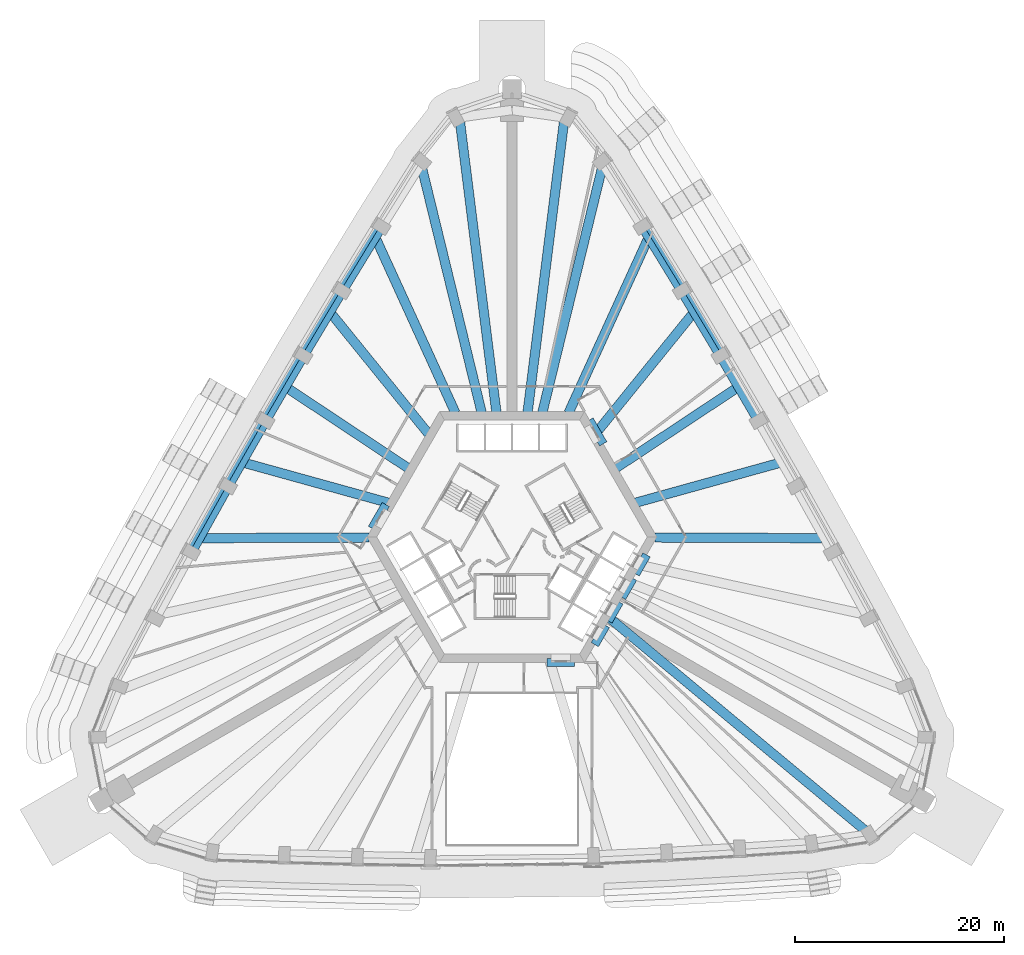
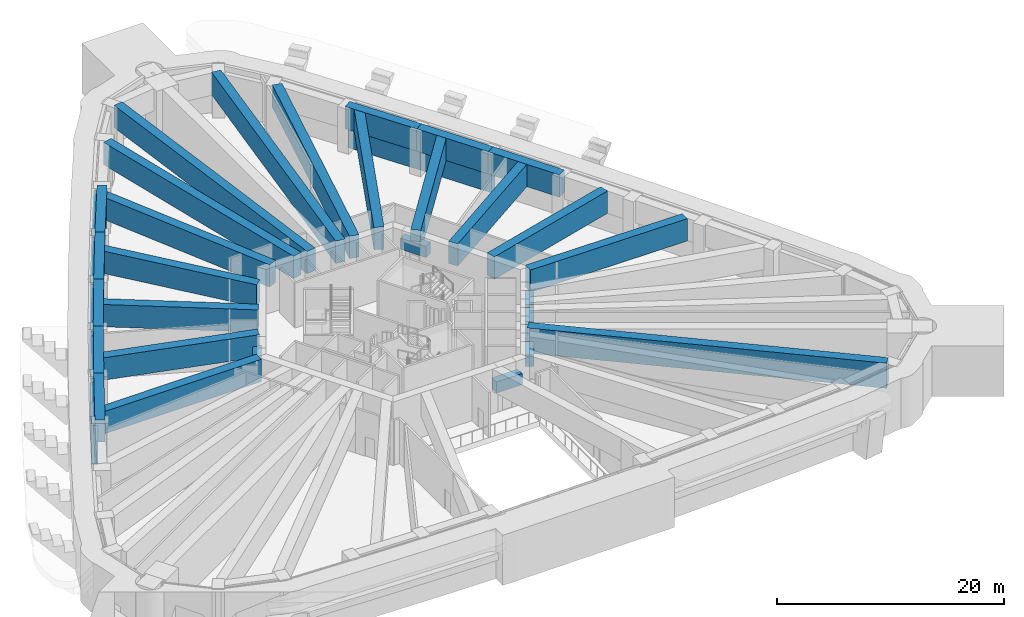
# One storey, part 5 of 22: 30 beams, 7 members.
"""IFC4 building model written with IfcOpenShell, lengths in metres."""

import ifcopenshell
import ifcopenshell.guid

model = None  # the IFC model being written
_history = None  # IfcOwnerHistory: only IFC2X3 demands one
_inside = {}  # id of a spatial element -> (the spatial element, [elements in it])
_under = {}  # id of a project, library or spatial element -> (it, [spatial elements below it])
_declared = {}  # id of a project -> (the project, [libraries it declares])
_typed = {}  # id of a type object -> (the type object, [elements of that type])
_made_of = {}  # id of a material, layer set ... -> (it, [elements and type objects made of it])


def new_model(schema):
    """Start an empty IFC model of exactly this schema.

    Asked for "IFC4X3", IfcOpenShell would pick the latest addendum, in which some entities
    have other attributes; the version numbers below select the first issue.
    IFC2X3 requires an IfcOwnerHistory on every rooted entity: one is made here for all.
    """
    global model, _history
    if schema == "IFC4X3":
        model = ifcopenshell.file(schema_version=(4, 3, 0, 0))
    else:
        model = ifcopenshell.file(schema=schema)
    _inside.clear()
    _under.clear()
    _declared.clear()
    _typed.clear()
    _made_of.clear()
    _history = None
    if model.schema == "IFC2X3":
        org = make("IfcOrganization", Name="unknown")
        user = make(
            "IfcPersonAndOrganization",
            ThePerson=make("IfcPerson", FamilyName="unknown"),
            TheOrganization=org,
        )
        app = make(
            "IfcApplication",
            ApplicationDeveloper=org,
            Version="unknown",
            ApplicationFullName="unknown",
            ApplicationIdentifier="unknown",
        )
        _history = make(
            "IfcOwnerHistory",
            OwningUser=user,
            OwningApplication=app,
            ChangeAction="ADDED",
            CreationDate=0,
        )
    return model


def make(cls, **values):
    """One entity of the class cls with the attributes given. An attribute that is None is left unset."""
    return model.create_entity(
        cls, **{name: value for name, value in values.items() if value is not None}
    )


def rooted(cls, **values):
    """An entity with a GlobalId (a new one), such as an element, a storey or a relation."""
    return make(cls, GlobalId=ifcopenshell.guid.new(), OwnerHistory=_history, **values)


def si_unit(unit_type, name, prefix=None):
    """IfcSIUnit, for example si_unit("LENGTHUNIT", "METRE", prefix="MILLI")."""
    return make("IfcSIUnit", UnitType=unit_type, Prefix=prefix, Name=name)


def assignment(units):
    """IfcUnitAssignment: the units of a project."""
    return None if units is None else make("IfcUnitAssignment", Units=units)


def point(xyz):
    """IfcCartesianPoint."""
    return None if xyz is None else make("IfcCartesianPoint", Coordinates=xyz)


def direction(xyz):
    """IfcDirection."""
    return None if xyz is None else make("IfcDirection", DirectionRatios=xyz)


def frame(location, z_axis=None, x_axis=None):
    """IfcAxis2Placement3D, a coordinate frame: its origin and axes. An axis left out is left unset."""
    return make(
        "IfcAxis2Placement3D",
        Location=point(location),
        Axis=direction(z_axis),
        RefDirection=direction(x_axis),
    )


def frame_2d(location, x_axis=None):
    """IfcAxis2Placement2D, a coordinate frame in the plane: its origin and x axis."""
    return make(
        "IfcAxis2Placement2D", Location=point(location), RefDirection=direction(x_axis)
    )


def origin():
    """The frame at (0, 0, 0) with its axes left unset."""
    return frame((0.0, 0.0, 0.0))


def origin_2d():
    """The frame at (0, 0) in the plane with its x axis left unset."""
    return frame_2d((0.0, 0.0))


def place(relative_to, where):
    """IfcLocalPlacement: puts the frame where relative to a parent placement (None: the world)."""
    return make(
        "IfcLocalPlacement", PlacementRelTo=relative_to, RelativePlacement=where
    )


def context(
    kind, dimensions, precision=None, world=None, true_north=None, identifier=None
):
    """IfcGeometricRepresentationContext, for example the 3D "Model" context."""
    return make(
        "IfcGeometricRepresentationContext",
        ContextIdentifier=identifier,
        ContextType=kind,
        CoordinateSpaceDimension=dimensions,
        Precision=precision,
        WorldCoordinateSystem=world,
        TrueNorth=true_north,
    )


def subcontext(parent, identifier, kind, view, scale=None):
    """IfcGeometricRepresentationSubContext, for example "Body" below "Model"."""
    return make(
        "IfcGeometricRepresentationSubContext",
        ContextIdentifier=identifier,
        ContextType=kind,
        ParentContext=parent,
        TargetScale=scale,
        TargetView=view,
    )


def project(units=None, contexts=None):
    """IfcProject with its units and contexts."""
    return rooted(
        "IfcProject",
        Name="project",
        RepresentationContexts=contexts,
        UnitsInContext=assignment(units),
    )


def spatial(cls, under=None, at=None, **own):
    """A site, building, storey or space (cls), placed at a placement, below another one or the project."""
    s = rooted(cls, ObjectPlacement=at, **own)
    if under is not None:
        _under.setdefault(under.id(), (under, []))[1].append(s)
    return s


def profile(cls, at=None, kind="AREA", **sizes):
    """A parametric profile (cls). Its sizes go by their IFC names, for example OverallWidth=200.0."""
    return make(cls, ProfileType=kind, Position=at, **sizes)


def rectangle(**sizes):
    """IfcRectangleProfileDef."""
    return profile("IfcRectangleProfileDef", **sizes)


def extrude(swept, where, along, depth):
    """IfcExtrudedAreaSolid: the profile swept, set in the frame where, extruded along a direction by depth."""
    return make(
        "IfcExtrudedAreaSolid",
        SweptArea=swept,
        Position=where,
        ExtrudedDirection=direction(along),
        Depth=depth,
    )


def shape(context_of_items, identifier, shape_type, items):
    """IfcShapeRepresentation: the items that make up one representation, for example the "Body"."""
    return make(
        "IfcShapeRepresentation",
        ContextOfItems=context_of_items,
        RepresentationIdentifier=identifier,
        RepresentationType=shape_type,
        Items=items,
    )


def material(Name=None, Category=None):
    """IfcMaterial."""
    return make("IfcMaterial", Name=Name, Category=Category)


def material_profile(
    of_material, cross_section, Name=None, Category=None, Priority=None
):
    """IfcMaterialProfile: a cross section and its material."""
    return make(
        "IfcMaterialProfile",
        Name=Name,
        Material=of_material,
        Profile=cross_section,
        Priority=Priority,
        Category=Category,
    )


def profile_set(profiles, Name=None, composite=None):
    """IfcMaterialProfileSet."""
    return make(
        "IfcMaterialProfileSet",
        Name=Name,
        MaterialProfiles=profiles,
        CompositeProfile=composite,
    )


def made_of(thing, what):
    """Note that an element or type object is made of a material, layer set ...; save() writes the relation."""
    if what is not None:
        _made_of.setdefault(what.id(), (what, []))[1].append(thing)
    return thing


def type_object(cls, material=None, **own):
    """A type object (cls), such as IfcWallType, which elements share."""
    return made_of(rooted(cls, **own), material)


def element(
    cls,
    number,
    at=None,
    inside=None,
    cuts=None,
    type_object=None,
    material=None,
    context=None,
    identifier="Body",
    shape_type=None,
    held_by="IfcProductDefinitionShape",
    body=None,
    shapes=None,
    **own,
):
    """One element of the class cls, such as IfcWall. Its Tag is "e" and its number.

    at: its placement. inside: the storey or other place that contains it. cuts: it is an
    opening in that element (IfcRelVoidsElement). A single representation is given by context,
    identifier, shape_type and body (its items); several are given by shapes. held_by: the class
    of the entity that holds the representations. save() writes the other relations.
    """
    e = rooted(cls, Tag="e%d" % number, ObjectPlacement=at, **own)
    if body is not None:
        shapes = [shape(context, identifier, shape_type, body)]
    if shapes is not None:
        e.Representation = make(held_by, Representations=shapes)
    if inside is not None:
        _inside.setdefault(inside.id(), (inside, []))[1].append(e)
    if cuts is not None:
        rooted(
            "IfcRelVoidsElement", RelatingBuildingElement=cuts, RelatedOpeningElement=e
        )
    if type_object is not None:
        _typed.setdefault(type_object.id(), (type_object, []))[1].append(e)
    return made_of(e, material)


def aggregate(whole, parts):
    """IfcRelAggregates: a whole, such as a stair, and the parts it consists of."""
    return rooted("IfcRelAggregates", RelatingObject=whole, RelatedObjects=parts)


def save(model, path):
    """Write the relations noted so far, then the file.

    IfcRelAggregates (storeys below a building ...), IfcRelContainedInSpatialStructure (elements
    in a storey), IfcRelDefinesByType, IfcRelAssociatesMaterial and IfcRelDeclares: one each for
    every whole, place, type object, material and project.
    """
    for whole, parts in _under.values():
        aggregate(whole, parts)
    for where, things in _inside.values():
        rooted(
            "IfcRelContainedInSpatialStructure",
            RelatedElements=things,
            RelatingStructure=where,
        )
    for kind, things in _typed.values():
        rooted("IfcRelDefinesByType", RelatedObjects=things, RelatingType=kind)
    for what, things in _made_of.values():
        rooted("IfcRelAssociatesMaterial", RelatedObjects=things, RelatingMaterial=what)
    for by, libraries in _declared.values():
        rooted("IfcRelDeclares", RelatingContext=by, RelatedDefinitions=libraries)
    model.write(path)


model = new_model("IFC4")

# Units and contexts
model_context = context("Model", 3, precision=1e-05, world=origin(), true_north=direction((0.0, 1.0)))
body_context = subcontext(model_context, "Body", "Model", "MODEL_VIEW")
ifc_project = project(units=[si_unit("LENGTHUNIT", "METRE"), si_unit("AREAUNIT", "SQUARE_METRE"), si_unit("VOLUMEUNIT", "CUBIC_METRE"), si_unit("PLANEANGLEUNIT", "RADIAN"), si_unit("MASSUNIT", "GRAM", prefix="KILO")], contexts=[model_context])

# Site, building, storey
site_placement = place(None, origin())
site = spatial("IfcSite", under=ifc_project, at=site_placement, CompositionType="ELEMENT")
building_placement = place(site_placement, origin())
building = spatial("IfcBuilding", under=site, at=building_placement, Name="Entoto Arch Interchange Tower", CompositionType="ELEMENT")
storey_placement = place(building_placement, frame((0.0, 0.0, 132.800048828125)))
storey = spatial("IfcBuildingStorey", under=building, at=storey_placement, Name="L29", CompositionType="ELEMENT", Elevation=132.800048828125)

# Members
ifc_material = material(Name="Concrete C60/75", Category="concrete")
ifc_material_profile_1 = material_profile(ifc_material, rectangle(XDim=0.60009765625, YDim=4.199951171875, at=origin_2d()))
ifc_profile_set_1 = profile_set([ifc_material_profile_1], Name="Concrete C60/75")
member_type = type_object("IfcMemberType", Name="Belt member RC 600x4200 C60/75", PredefinedType="USERDEFINED", material=ifc_profile_set_1)
member_1_placement = place(storey_placement, frame((20.31103515625, 20.05810546875, 2.099853515625), z_axis=(-0.513271052913, 0.858226558807, 0.0), x_axis=(-0.858226558807, -0.513271052913, 0.0)))
element("IfcMember", 1, at=member_1_placement, inside=storey, type_object=member_type, Name="Belt beam 17 L29", ObjectType="BELT BEAM", PredefinedType="USERDEFINED", context=body_context, shape_type="SweptSolid", body=[
    extrude(rectangle(XDim=0.60009765625, YDim=4.199951171875, at=origin_2d()), origin(), (0.0, 0.0, 1.0), 7.21484375),
])
for number, where, z_axis, x_axis, name in (
    (2, (16.60791015625, 26.25, 2.099853515625), (-0.521900204442, 0.853006551325, 0.0), (-0.853006551325, -0.521900204442, 0.0), "Belt beam 18 L29"),
    (3, (-12.842041015625, 32.405029296875, 2.099853515625), (-0.521900204442, -0.853006551325, 0.0), (0.853006551325, -0.521900204442, 0.0), "Belt beam 25 L29"),
):
    element("IfcMember", number, at=place(storey_placement, frame(where, z_axis=z_axis, x_axis=x_axis)), inside=storey, type_object=member_type, Name=name, ObjectType="BELT BEAM", PredefinedType="USERDEFINED", context=body_context, shape_type="SweptSolid", body=[
        extrude(rectangle(XDim=0.60009765625, YDim=4.199951171875, at=origin_2d()), origin(), (0.0, 0.0, 1.0), 7.215576171875),
    ])
member_2_placement = place(storey_placement, frame((-16.60791015625, 26.25, 2.099853515625), z_axis=(-0.513271052913, -0.858226558807, 0.0), x_axis=(0.858226558807, -0.513271052913, 0.0)))
element("IfcMember", 4, at=member_2_placement, inside=storey, type_object=member_type, Name="Belt beam 26 L29", ObjectType="BELT BEAM", PredefinedType="USERDEFINED", context=body_context, shape_type="SweptSolid", body=[
    extrude(rectangle(XDim=0.60009765625, YDim=4.199951171875, at=origin_2d()), origin(), (0.0, 0.0, 1.0), 7.21484375),
])
member_3_placement = place(storey_placement, frame((-20.31103515625, 20.05810546875, 2.099853515625), z_axis=(-0.504348531195, -0.86350017897, 0.0), x_axis=(0.86350017897, -0.504348531195, 0.0)))
element("IfcMember", 5, at=member_3_placement, inside=storey, type_object=member_type, Name="Belt beam 27 L29", ObjectType="BELT BEAM", PredefinedType="USERDEFINED", context=body_context, shape_type="SweptSolid", body=[
    extrude(rectangle(XDim=0.60009765625, YDim=4.199951171875, at=origin_2d()), origin(), (0.0, 0.0, 1.0), 7.215087890625),
])
for number, where, z_axis, x_axis, name in (
    (6, (-23.949951171875, 13.827880859375, 2.099853515625), (-0.495442823375, -0.868640552108, 0.0), (0.868640552108, -0.495442823375, 0.0), "Belt beam 28 L29"),
    (7, (-27.52490234375, 7.56005859375, 2.099853515625), (-0.486760069325, -0.873535709007, 0.0), (0.873535709007, -0.486760069325, 0.0), "Belt beam 29 L29"),
):
    element("IfcMember", number, at=place(storey_placement, frame(where, z_axis=z_axis, x_axis=x_axis)), inside=storey, type_object=member_type, Name=name, ObjectType="BELT BEAM", PredefinedType="USERDEFINED", context=body_context, shape_type="SweptSolid", body=[
        extrude(rectangle(XDim=0.60009765625, YDim=4.199951171875, at=origin_2d()), origin(), (0.0, 0.0, 1.0), 7.215576171875),
    ])

# Beams
ifc_material_profile_2 = material_profile(ifc_material, rectangle(XDim=0.800048828125, YDim=1.199951171875, at=origin_2d()))
ifc_profile_set_2 = profile_set([ifc_material_profile_2], Name="Concrete C60/75")
beam_type_1 = type_object("IfcBeamType", Name="Coupling beam RC 800x1200 C60/75", PredefinedType="BEAM", material=ifc_profile_set_2)
for number, where, z_axis, x_axis, name in (
    (8, (8.718017578125, 11.40087890625, 3.0), (-0.499912608224, 0.866075853571, 0.0), (-0.866075853571, -0.499912608224, 0.0), "Coupling beam NE L29"),
    (9, (-12.06689453125, 5.59912109375, 3.0), (-0.499982224273, -0.866035666362, 0.0), (0.866035666362, -0.499982224273, 0.0), "Coupling beam NW L29"),
):
    element("IfcBeam", number, at=place(storey_placement, frame(where, z_axis=z_axis, x_axis=x_axis)), inside=storey, type_object=beam_type_1, Name=name, PredefinedType="BEAM", context=body_context, shape_type="SweptSolid", body=[
        extrude(rectangle(XDim=0.800048828125, YDim=1.199951171875, at=origin_2d()), origin(), (0.0, 0.0, 1.0), 2.63037109375),
    ])
beam_1_placement = place(storey_placement, frame((3.35009765625, -9.5, 3.0), z_axis=(1.0, 0.0, 0.0), x_axis=(0.0, 1.0, 0.0)))
element("IfcBeam", 10, at=beam_1_placement, inside=storey, type_object=beam_type_1, Name="Coupling beam S L29", PredefinedType="BEAM", context=body_context, shape_type="SweptSolid", body=[
    extrude(rectangle(XDim=0.800048828125, YDim=1.199951171875, at=origin_2d()), origin(), (0.0, 0.0, 1.0), 2.6298828125),
])
for number, where, z_axis, x_axis, name in (
    (11, (7.9169921875, -7.785888671875, 3.0), (0.500178781653, 0.865922159541, 0.0), (-0.865922159541, 0.500178781653, 0.0), "Coupling beam SE L29"),
    (12, (9.217041015625, -5.534912109375, 3.0), (0.500178781653, 0.865922159541, 0.0), (-0.865922159541, 0.500178781653, 0.0), "Coupling beam SE L29"),
):
    element("IfcBeam", number, at=place(storey_placement, frame(where, z_axis=z_axis, x_axis=x_axis)), inside=storey, type_object=beam_type_1, Name=name, PredefinedType="BEAM", context=body_context, shape_type="SweptSolid", body=[
        extrude(rectangle(XDim=0.800048828125, YDim=1.199951171875, at=origin_2d()), origin(), (0.0, 0.0, 1.0), 2.099365234375),
    ])
beam_2_placement = place(storey_placement, frame((10.51708984375, -3.282958984375, 3.0), z_axis=(0.500091574638, 0.865972526687, 0.0), x_axis=(-0.865972526687, 0.500091574638, 0.0)))
element("IfcBeam", 13, at=beam_2_placement, inside=storey, type_object=beam_type_1, Name="Coupling beam SE L29", PredefinedType="BEAM", context=body_context, shape_type="SweptSolid", body=[
    extrude(rectangle(XDim=0.800048828125, YDim=1.199951171875, at=origin_2d()), origin(), (0.0, 0.0, 1.0), 2.09912109375),
])
beam_3_placement = place(storey_placement, frame((11.81689453125, -1.031982421875, 3.0), z_axis=(0.500178781653, 0.865922159541, 0.0), x_axis=(-0.865922159541, 0.500178781653, 0.0)))
element("IfcBeam", 14, at=beam_3_placement, inside=storey, type_object=beam_type_1, Name="Coupling beam SE L29", PredefinedType="BEAM", context=body_context, shape_type="SweptSolid", body=[
    extrude(rectangle(XDim=0.800048828125, YDim=1.199951171875, at=origin_2d()), origin(), (0.0, 0.0, 1.0), 2.099365234375),
])
ifc_material_profile_3 = material_profile(ifc_material, rectangle(XDim=0.89990234375, YDim=2.39990234375, at=origin_2d()))
ifc_profile_set_3 = profile_set([ifc_material_profile_3], Name="Concrete C60/75")
beam_type_2 = type_object("IfcBeamType", Name="Transfer beam RC 900x2400 C60/75", PredefinedType="BEAM", material=ifc_profile_set_3)
beam_4_placement = place(storey_placement, frame((13.675048828125, 2.447998046875, 3.599853515625), z_axis=(0.999992406003, -0.003897170251, 0.0), x_axis=(0.003897170251, 0.999992406003, 0.0)))
element("IfcBeam", 15, at=beam_4_placement, inside=storey, type_object=beam_type_2, Name="Transfer beam NE03 L29", PredefinedType="BEAM", context=body_context, shape_type="SweptSolid", body=[
    extrude(rectangle(XDim=0.89990234375, YDim=2.39990234375, at=origin_2d()), origin(), (0.0, 0.0, 1.0), 15.911865234375),
])
beam_5_placement = place(storey_placement, frame((11.802001953125, 5.76708984375, 3.599853515625), z_axis=(0.9637624495, 0.26676195556, 0.0), x_axis=(-0.26676195556, 0.9637624495, 0.0)))
element("IfcBeam", 16, at=beam_5_placement, inside=storey, type_object=beam_type_2, Name="Transfer beam NE04 L29", PredefinedType="BEAM", context=body_context, shape_type="SweptSolid", body=[
    extrude(rectangle(XDim=0.89990234375, YDim=2.39990234375, at=origin_2d()), origin(), (0.0, 0.0, 1.0), 14.23681640625),
])
beam_6_placement = place(storey_placement, frame((9.89697265625, 9.05908203125, 3.599853515625), z_axis=(0.833597581311, 0.55237222272, 0.0), x_axis=(-0.55237222272, 0.833597581311, 0.0)))
element("IfcBeam", 17, at=beam_6_placement, inside=storey, type_object=beam_type_2, Name="Transfer beam NE05 L29", PredefinedType="BEAM", context=body_context, shape_type="SweptSolid", body=[
    extrude(rectangle(XDim=0.89990234375, YDim=2.39990234375, at=origin_2d()), origin(), (0.0, 0.0, 1.0), 13.8076171875),
])
beam_7_placement = place(storey_placement, frame((23.555908203125, 13.60009765625, 3.599853515625), z_axis=(-0.504369985993, 0.86348764741, 0.0), x_axis=(-0.86348764741, -0.504369985993, 0.0)))
element("IfcBeam", 18, at=beam_7_placement, inside=storey, type_object=beam_type_2, Name="Transfer girder NE05 L29", PredefinedType="BEAM", context=body_context, shape_type="SweptSolid", body=[
    extrude(rectangle(XDim=0.89990234375, YDim=2.39990234375, at=origin_2d()), origin(), (0.0, 0.0, 1.0), 7.208984375),
])
beam_8_placement = place(storey_placement, frame((7.991943359375, 12.3759765625, 3.599853515625), z_axis=(0.62908145217, 0.777339389543, 0.0), x_axis=(-0.777339389543, 0.62908145217, 0.0)))
element("IfcBeam", 19, at=beam_8_placement, inside=storey, type_object=beam_type_2, Name="Transfer beam NE06 L29", PredefinedType="BEAM", context=body_context, shape_type="SweptSolid", body=[
    extrude(rectangle(XDim=0.89990234375, YDim=2.39990234375, at=origin_2d()), origin(), (0.0, 0.0, 1.0), 14.675537109375),
])
beam_9_placement = place(storey_placement, frame((19.919921875, 19.824951171875, 3.599853515625), z_axis=(-0.513245140497, 0.858242055458, 0.0), x_axis=(-0.858242055458, -0.513245140497, 0.0)))
element("IfcBeam", 20, at=beam_9_placement, inside=storey, type_object=beam_type_2, Name="Transfer girder NE06 L29", PredefinedType="BEAM", context=body_context, shape_type="SweptSolid", body=[
    extrude(rectangle(XDim=0.89990234375, YDim=2.39990234375, at=origin_2d()), origin(), (0.0, 0.0, 1.0), 7.208984375),
])
beam_10_placement = place(storey_placement, frame((5.412109375, 14.364013671875, 3.599853515625), z_axis=(0.415065911089, 0.909791343909, 0.0), x_axis=(-0.909791343909, 0.415065911089, 0.0)))
element("IfcBeam", 21, at=beam_10_placement, inside=storey, type_object=beam_type_2, Name="Transfer beam NE07 L29", PredefinedType="BEAM", context=body_context, shape_type="SweptSolid", body=[
    extrude(rectangle(XDim=0.89990234375, YDim=2.39990234375, at=origin_2d()), origin(), (0.0, 0.0, 1.0), 18.156005859375),
])
beam_11_placement = place(storey_placement, frame((16.219970703125, 26.011962890625, 3.599853515625), z_axis=(-0.521906036848, 0.853002982821, 0.0), x_axis=(-0.853002982821, -0.521906036848, 0.0)))
element("IfcBeam", 22, at=beam_11_placement, inside=storey, type_object=beam_type_2, Name="Transfer girder NE07 L29", PredefinedType="BEAM", context=body_context, shape_type="SweptSolid", body=[
    extrude(rectangle(XDim=0.89990234375, YDim=2.39990234375, at=origin_2d()), origin(), (0.0, 0.0, 1.0), 7.2099609375),
])
beam_12_placement = place(storey_placement, frame((2.89208984375, 14.35400390625, 3.599853515625), z_axis=(0.237021393937, 0.971504430672, 0.0), x_axis=(-0.971504430672, 0.237021393937, 0.0)))
element("IfcBeam", 23, at=beam_12_placement, inside=storey, type_object=beam_type_2, Name="Transfer beam NE08 L29", PredefinedType="BEAM", context=body_context, shape_type="SweptSolid", body=[
    extrude(rectangle(XDim=0.89990234375, YDim=2.39990234375, at=origin_2d()), origin(), (0.0, 0.0, 1.0), 24.21728515625),
])
for number, where, z_axis, x_axis, name in (
    (24, (1.48388671875, 14.35107421875, 3.599853515625), (0.124291803581, 0.992245709269, 0.0), (-0.992245709269, 0.124291803581, 0.0), "Transfer beam N1 L29"),
    (25, (-1.48388671875, 14.35107421875, 3.599853515625), (-0.124291803581, 0.992245709269, 0.0), (-0.992245709269, -0.124291803581, 0.0), "Transfer beam N3 L29"),
):
    element("IfcBeam", number, at=place(storey_placement, frame(where, z_axis=z_axis, x_axis=x_axis)), inside=storey, type_object=beam_type_2, Name=name, PredefinedType="BEAM", context=body_context, shape_type="SweptSolid", body=[
        extrude(rectangle(XDim=0.89990234375, YDim=2.39990234375, at=origin_2d()), origin(), (0.0, 0.0, 1.0), 28.16943359375),
    ])
beam_13_placement = place(storey_placement, frame((-2.89208984375, 14.35400390625, 3.599853515625), z_axis=(-0.237021393937, 0.971504430672, 0.0), x_axis=(-0.971504430672, -0.237021393937, 0.0)))
element("IfcBeam", 26, at=beam_13_placement, inside=storey, type_object=beam_type_2, Name="Transfer beam NW01 L29", PredefinedType="BEAM", context=body_context, shape_type="SweptSolid", body=[
    extrude(rectangle(XDim=0.89990234375, YDim=2.39990234375, at=origin_2d()), origin(), (0.0, 0.0, 1.0), 24.21728515625),
])
beam_14_placement = place(storey_placement, frame((-5.412109375, 14.364013671875, 3.599853515625), z_axis=(-0.415065911089, 0.909791343909, 0.0), x_axis=(-0.909791343909, -0.415065911089, 0.0)))
element("IfcBeam", 27, at=beam_14_placement, inside=storey, type_object=beam_type_2, Name="Transfer beam NW02 L29", PredefinedType="BEAM", context=body_context, shape_type="SweptSolid", body=[
    extrude(rectangle(XDim=0.89990234375, YDim=2.39990234375, at=origin_2d()), origin(), (0.0, 0.0, 1.0), 18.156005859375),
])
beam_15_placement = place(storey_placement, frame((-12.45703125, 32.162109375, 3.599853515625), z_axis=(-0.521906036848, -0.853002982821, 0.0), x_axis=(0.853002982821, -0.521906036848, 0.0)))
element("IfcBeam", 28, at=beam_15_placement, inside=storey, type_object=beam_type_2, Name="Transfer girder NW02 L29", PredefinedType="BEAM", context=body_context, shape_type="SweptSolid", body=[
    extrude(rectangle(XDim=0.89990234375, YDim=2.39990234375, at=origin_2d()), origin(), (0.0, 0.0, 1.0), 7.2099609375),
])
beam_16_placement = place(storey_placement, frame((-7.991943359375, 12.3759765625, 3.599853515625), z_axis=(-0.62908145217, 0.777339389543, 0.0), x_axis=(-0.777339389543, -0.62908145217, 0.0)))
element("IfcBeam", 29, at=beam_16_placement, inside=storey, type_object=beam_type_2, Name="Transfer beam NW03 L29", PredefinedType="BEAM", context=body_context, shape_type="SweptSolid", body=[
    extrude(rectangle(XDim=0.89990234375, YDim=2.39990234375, at=origin_2d()), origin(), (0.0, 0.0, 1.0), 14.675537109375),
])
beam_17_placement = place(storey_placement, frame((-16.219970703125, 26.011962890625, 3.599853515625), z_axis=(-0.513245140497, -0.858242055458, 0.0), x_axis=(0.858242055458, -0.513245140497, 0.0)))
element("IfcBeam", 30, at=beam_17_placement, inside=storey, type_object=beam_type_2, Name="Transfer girder NW03 L29", PredefinedType="BEAM", context=body_context, shape_type="SweptSolid", body=[
    extrude(rectangle(XDim=0.89990234375, YDim=2.39990234375, at=origin_2d()), origin(), (0.0, 0.0, 1.0), 7.208984375),
])
beam_18_placement = place(storey_placement, frame((-9.89697265625, 9.05908203125, 3.599853515625), z_axis=(-0.833597581311, 0.55237222272, 0.0), x_axis=(-0.55237222272, -0.833597581311, 0.0)))
element("IfcBeam", 31, at=beam_18_placement, inside=storey, type_object=beam_type_2, Name="Transfer beam NW04 L29", PredefinedType="BEAM", context=body_context, shape_type="SweptSolid", body=[
    extrude(rectangle(XDim=0.89990234375, YDim=2.39990234375, at=origin_2d()), origin(), (0.0, 0.0, 1.0), 13.8076171875),
])
beam_19_placement = place(storey_placement, frame((-19.919921875, 19.824951171875, 3.599853515625), z_axis=(-0.504369985993, -0.86348764741, 0.0), x_axis=(0.86348764741, -0.504369985993, 0.0)))
element("IfcBeam", 32, at=beam_19_placement, inside=storey, type_object=beam_type_2, Name="Transfer girder NW04 L29", PredefinedType="BEAM", context=body_context, shape_type="SweptSolid", body=[
    extrude(rectangle(XDim=0.89990234375, YDim=2.39990234375, at=origin_2d()), origin(), (0.0, 0.0, 1.0), 7.208984375),
])
beam_20_placement = place(storey_placement, frame((-11.802001953125, 5.76708984375, 3.599853515625), z_axis=(-0.9637624495, 0.26676195556, 0.0), x_axis=(-0.26676195556, -0.9637624495, 0.0)))
element("IfcBeam", 33, at=beam_20_placement, inside=storey, type_object=beam_type_2, Name="Transfer beam NW05 L29", PredefinedType="BEAM", context=body_context, shape_type="SweptSolid", body=[
    extrude(rectangle(XDim=0.89990234375, YDim=2.39990234375, at=origin_2d()), origin(), (0.0, 0.0, 1.0), 14.23681640625),
])
beam_21_placement = place(storey_placement, frame((-23.555908203125, 13.60009765625, 3.599853515625), z_axis=(-0.495471400772, -0.868624251916, 0.0), x_axis=(0.868624251916, -0.495471400772, 0.0)))
element("IfcBeam", 34, at=beam_21_placement, inside=storey, type_object=beam_type_2, Name="Transfer girder NW05 L29", PredefinedType="BEAM", context=body_context, shape_type="SweptSolid", body=[
    extrude(rectangle(XDim=0.89990234375, YDim=2.39990234375, at=origin_2d()), origin(), (0.0, 0.0, 1.0), 7.209228515625),
])
beam_22_placement = place(storey_placement, frame((-13.675048828125, 2.447998046875, 3.599853515625), z_axis=(-0.999992406003, -0.003897170251, 0.0), x_axis=(0.003897170251, -0.999992406003, 0.0)))
element("IfcBeam", 35, at=beam_22_placement, inside=storey, type_object=beam_type_2, Name="Transfer beam NW06 L29", PredefinedType="BEAM", context=body_context, shape_type="SweptSolid", body=[
    extrude(rectangle(XDim=0.89990234375, YDim=2.39990234375, at=origin_2d()), origin(), (0.0, 0.0, 1.0), 15.911865234375),
])
beam_23_placement = place(storey_placement, frame((-27.1279296875, 7.337890625, 3.599853515625), z_axis=(-0.486726523614, -0.873554400831, 0.0), x_axis=(0.873554400831, -0.486726523614, 0.0)))
element("IfcBeam", 36, at=beam_23_placement, inside=storey, type_object=beam_type_2, Name="Transfer girder NW06 L29", PredefinedType="BEAM", context=body_context, shape_type="SweptSolid", body=[
    extrude(rectangle(XDim=0.89990234375, YDim=2.39990234375, at=origin_2d()), origin(), (0.0, 0.0, 1.0), 7.20947265625),
])
ifc_material_profile_4 = material_profile(ifc_material, rectangle(XDim=0.89990234375, YDim=2.699951171875, at=origin_2d()))
ifc_profile_set_4 = profile_set([ifc_material_profile_4], Name="Concrete C60/75")
beam_type_3 = type_object("IfcBeamType", Name="Transfer beam RC 900x2700 C60/75", PredefinedType="BEAM", material=ifc_profile_set_4)
beam_24_placement = place(storey_placement, frame((9.2490234375, -5.18505859375, 3.449951171875), z_axis=(0.76914944534, -0.639068956165, 0.0), x_axis=(0.639068956165, 0.76914944534, 0.0)))
element("IfcBeam", 37, at=beam_24_placement, inside=storey, type_object=beam_type_3, Name="Transfer beam SE1 L29", PredefinedType="BEAM", context=body_context, shape_type="SweptSolid", body=[
    extrude(rectangle(XDim=0.89990234375, YDim=2.699951171875, at=origin_2d()), origin(), (0.0, 0.0, 1.0), 32.118408203125),
])

save(model, "model.ifc")
